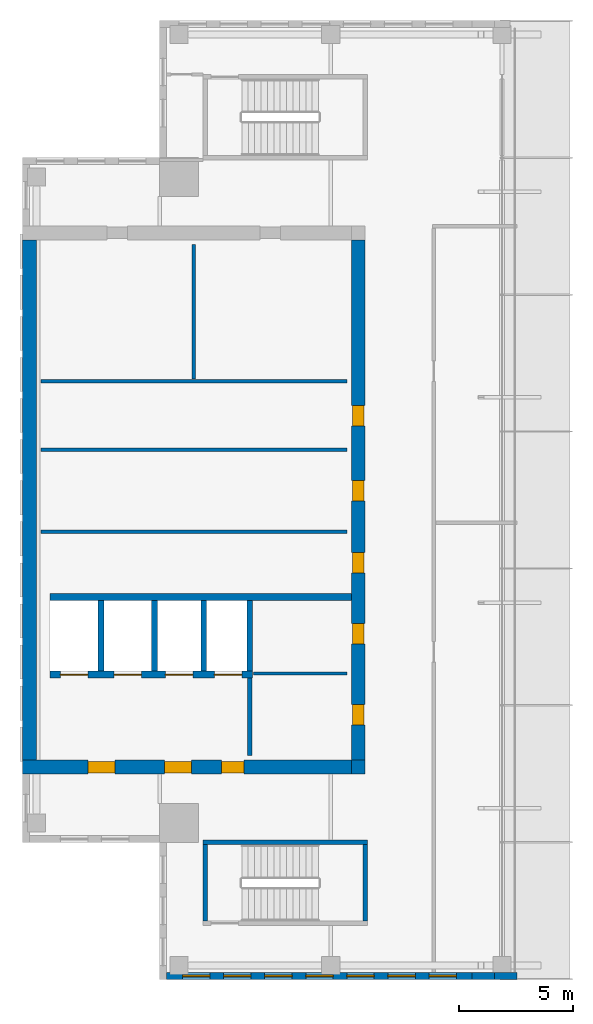
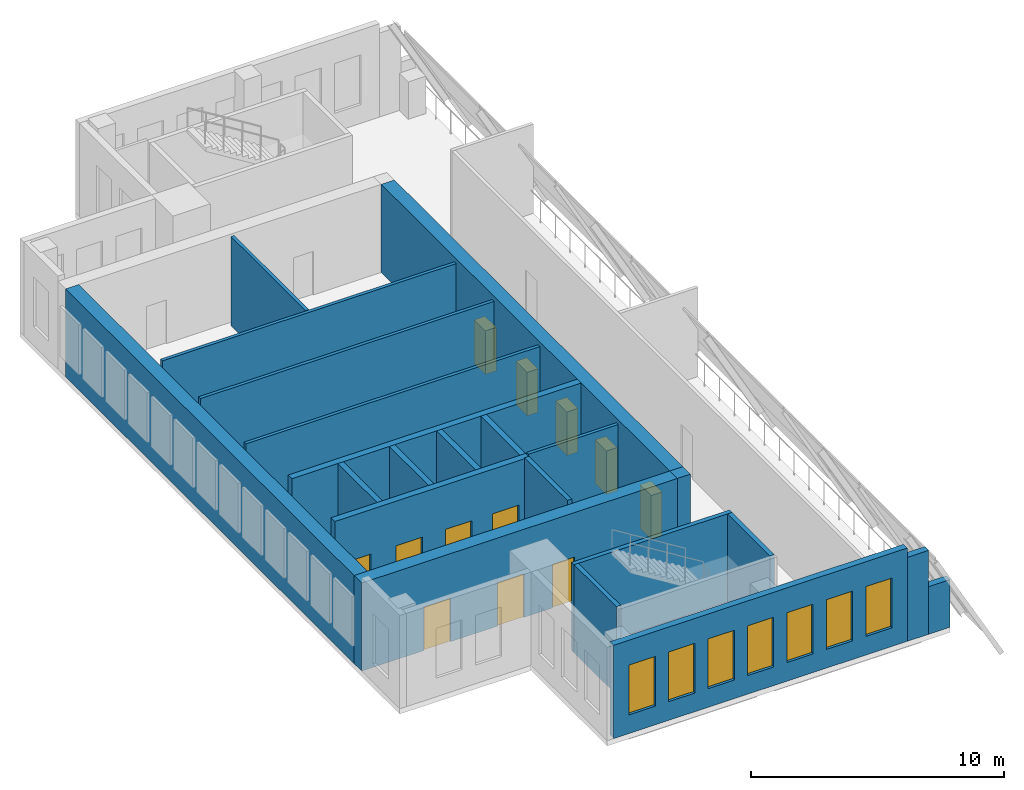
# One storey, part 2 of 5: 22 walls, 12 doors, 7 windows, 19 openings.
"""IFC4 building model written with IfcOpenShell, lengths in metres."""

import ifcopenshell
import ifcopenshell.guid

model = None  # the IFC model being written
_history = None  # IfcOwnerHistory: only IFC2X3 demands one
_inside = {}  # id of a spatial element -> (the spatial element, [elements in it])
_under = {}  # id of a project, library or spatial element -> (it, [spatial elements below it])
_declared = {}  # id of a project -> (the project, [libraries it declares])
_typed = {}  # id of a type object -> (the type object, [elements of that type])
_made_of = {}  # id of a material, layer set ... -> (it, [elements and type objects made of it])


def new_model(schema):
    """Start an empty IFC model of exactly this schema.

    Asked for "IFC4X3", IfcOpenShell would pick the latest addendum, in which some entities
    have other attributes; the version numbers below select the first issue.
    IFC2X3 requires an IfcOwnerHistory on every rooted entity: one is made here for all.
    """
    global model, _history
    if schema == "IFC4X3":
        model = ifcopenshell.file(schema_version=(4, 3, 0, 0))
    else:
        model = ifcopenshell.file(schema=schema)
    _inside.clear()
    _under.clear()
    _declared.clear()
    _typed.clear()
    _made_of.clear()
    _history = None
    if model.schema == "IFC2X3":
        org = make("IfcOrganization", Name="unknown")
        user = make(
            "IfcPersonAndOrganization",
            ThePerson=make("IfcPerson", FamilyName="unknown"),
            TheOrganization=org,
        )
        app = make(
            "IfcApplication",
            ApplicationDeveloper=org,
            Version="unknown",
            ApplicationFullName="unknown",
            ApplicationIdentifier="unknown",
        )
        _history = make(
            "IfcOwnerHistory",
            OwningUser=user,
            OwningApplication=app,
            ChangeAction="ADDED",
            CreationDate=0,
        )
    return model


def make(cls, **values):
    """One entity of the class cls with the attributes given. An attribute that is None is left unset."""
    return model.create_entity(
        cls, **{name: value for name, value in values.items() if value is not None}
    )


def rooted(cls, **values):
    """An entity with a GlobalId (a new one), such as an element, a storey or a relation."""
    return make(cls, GlobalId=ifcopenshell.guid.new(), OwnerHistory=_history, **values)


def si_unit(unit_type, name, prefix=None):
    """IfcSIUnit, for example si_unit("LENGTHUNIT", "METRE", prefix="MILLI")."""
    return make("IfcSIUnit", UnitType=unit_type, Prefix=prefix, Name=name)


def assignment(units):
    """IfcUnitAssignment: the units of a project."""
    return None if units is None else make("IfcUnitAssignment", Units=units)


def point(xyz):
    """IfcCartesianPoint."""
    return None if xyz is None else make("IfcCartesianPoint", Coordinates=xyz)


def direction(xyz):
    """IfcDirection."""
    return None if xyz is None else make("IfcDirection", DirectionRatios=xyz)


def frame(location, z_axis=None, x_axis=None):
    """IfcAxis2Placement3D, a coordinate frame: its origin and axes. An axis left out is left unset."""
    return make(
        "IfcAxis2Placement3D",
        Location=point(location),
        Axis=direction(z_axis),
        RefDirection=direction(x_axis),
    )


def frame_2d(location, x_axis=None):
    """IfcAxis2Placement2D, a coordinate frame in the plane: its origin and x axis."""
    return make(
        "IfcAxis2Placement2D", Location=point(location), RefDirection=direction(x_axis)
    )


def origin():
    """The frame at (0, 0, 0) with its axes left unset."""
    return frame((0.0, 0.0, 0.0))


def place(relative_to, where):
    """IfcLocalPlacement: puts the frame where relative to a parent placement (None: the world)."""
    return make(
        "IfcLocalPlacement", PlacementRelTo=relative_to, RelativePlacement=where
    )


def context(
    kind, dimensions, precision=None, world=None, true_north=None, identifier=None
):
    """IfcGeometricRepresentationContext, for example the 3D "Model" context."""
    return make(
        "IfcGeometricRepresentationContext",
        ContextIdentifier=identifier,
        ContextType=kind,
        CoordinateSpaceDimension=dimensions,
        Precision=precision,
        WorldCoordinateSystem=world,
        TrueNorth=true_north,
    )


def subcontext(parent, identifier, kind, view, scale=None):
    """IfcGeometricRepresentationSubContext, for example "Body" below "Model"."""
    return make(
        "IfcGeometricRepresentationSubContext",
        ContextIdentifier=identifier,
        ContextType=kind,
        ParentContext=parent,
        TargetScale=scale,
        TargetView=view,
    )


def project(units=None, contexts=None):
    """IfcProject with its units and contexts."""
    return rooted(
        "IfcProject",
        Name="project",
        RepresentationContexts=contexts,
        UnitsInContext=assignment(units),
    )


def spatial(cls, under=None, at=None, **own):
    """A site, building, storey or space (cls), placed at a placement, below another one or the project."""
    s = rooted(cls, ObjectPlacement=at, **own)
    if under is not None:
        _under.setdefault(under.id(), (under, []))[1].append(s)
    return s


def profile(cls, at=None, kind="AREA", **sizes):
    """A parametric profile (cls). Its sizes go by their IFC names, for example OverallWidth=200.0."""
    return make(cls, ProfileType=kind, Position=at, **sizes)


def rectangle(**sizes):
    """IfcRectangleProfileDef."""
    return profile("IfcRectangleProfileDef", **sizes)


def extrude(swept, where, along, depth):
    """IfcExtrudedAreaSolid: the profile swept, set in the frame where, extruded along a direction by depth."""
    return make(
        "IfcExtrudedAreaSolid",
        SweptArea=swept,
        Position=where,
        ExtrudedDirection=direction(along),
        Depth=depth,
    )


def shape(context_of_items, identifier, shape_type, items):
    """IfcShapeRepresentation: the items that make up one representation, for example the "Body"."""
    return make(
        "IfcShapeRepresentation",
        ContextOfItems=context_of_items,
        RepresentationIdentifier=identifier,
        RepresentationType=shape_type,
        Items=items,
    )


def source(mapping_origin, context_of_items, identifier, shape_type, items):
    """IfcRepresentationMap: a shape defined once, which mapped items show again and again."""
    return make(
        "IfcRepresentationMap",
        MappingOrigin=mapping_origin,
        MappedRepresentation=shape(context_of_items, identifier, shape_type, items),
    )


def transform(
    local_origin,
    x_axis=None,
    y_axis=None,
    z_axis=None,
    scale=None,
    scale2=None,
    scale3=None,
    uniform=True,
):
    """IfcCartesianTransformationOperator3D, or its non-uniform kind. x_axis, y_axis, z_axis: its Axis1, 2, 3."""
    if uniform:
        return make(
            "IfcCartesianTransformationOperator3D",
            Axis1=direction(x_axis),
            Axis2=direction(y_axis),
            LocalOrigin=point(local_origin),
            Scale=scale,
            Axis3=direction(z_axis),
        )
    return make(
        "IfcCartesianTransformationOperator3DnonUniform",
        Axis1=direction(x_axis),
        Axis2=direction(y_axis),
        LocalOrigin=point(local_origin),
        Scale=scale,
        Axis3=direction(z_axis),
        Scale2=scale2,
        Scale3=scale3,
    )


def mapped(mapping_source, mapping_target):
    """IfcMappedItem: shows the shape of a source again, moved by a transform."""
    return make(
        "IfcMappedItem", MappingSource=mapping_source, MappingTarget=mapping_target
    )


def material(Name=None, Category=None):
    """IfcMaterial."""
    return make("IfcMaterial", Name=Name, Category=Category)


def layer(
    of_material, thickness, ventilated=None, Name=None, Category=None, Priority=None
):
    """IfcMaterialLayer: one layer of a wall or slab, of a material (None: an air gap)."""
    return make(
        "IfcMaterialLayer",
        Material=of_material,
        LayerThickness=thickness,
        IsVentilated=ventilated,
        Name=Name,
        Category=Category,
        Priority=Priority,
    )


def layer_set(layers, Name=None):
    """IfcMaterialLayerSet."""
    return make("IfcMaterialLayerSet", MaterialLayers=layers, LayerSetName=Name)


def made_of(thing, what):
    """Note that an element or type object is made of a material, layer set ...; save() writes the relation."""
    if what is not None:
        _made_of.setdefault(what.id(), (what, []))[1].append(thing)
    return thing


def type_object(cls, material=None, **own):
    """A type object (cls), such as IfcWallType, which elements share."""
    return made_of(rooted(cls, **own), material)


def element(
    cls,
    number,
    at=None,
    inside=None,
    cuts=None,
    type_object=None,
    material=None,
    context=None,
    identifier="Body",
    shape_type=None,
    held_by="IfcProductDefinitionShape",
    body=None,
    shapes=None,
    **own,
):
    """One element of the class cls, such as IfcWall. Its Tag is "e" and its number.

    at: its placement. inside: the storey or other place that contains it. cuts: it is an
    opening in that element (IfcRelVoidsElement). A single representation is given by context,
    identifier, shape_type and body (its items); several are given by shapes. held_by: the class
    of the entity that holds the representations. save() writes the other relations.
    """
    e = rooted(cls, Tag="e%d" % number, ObjectPlacement=at, **own)
    if body is not None:
        shapes = [shape(context, identifier, shape_type, body)]
    if shapes is not None:
        e.Representation = make(held_by, Representations=shapes)
    if inside is not None:
        _inside.setdefault(inside.id(), (inside, []))[1].append(e)
    if cuts is not None:
        rooted(
            "IfcRelVoidsElement", RelatingBuildingElement=cuts, RelatedOpeningElement=e
        )
    if type_object is not None:
        _typed.setdefault(type_object.id(), (type_object, []))[1].append(e)
    return made_of(e, material)


def fill(opening, filler):
    """IfcRelFillsElement: the door or window that sits in an opening."""
    return rooted(
        "IfcRelFillsElement",
        RelatingOpeningElement=opening,
        RelatedBuildingElement=filler,
    )


def aggregate(whole, parts):
    """IfcRelAggregates: a whole, such as a stair, and the parts it consists of."""
    return rooted("IfcRelAggregates", RelatingObject=whole, RelatedObjects=parts)


def save(model, path):
    """Write the relations noted so far, then the file.

    IfcRelAggregates (storeys below a building ...), IfcRelContainedInSpatialStructure (elements
    in a storey), IfcRelDefinesByType, IfcRelAssociatesMaterial and IfcRelDeclares: one each for
    every whole, place, type object, material and project.
    """
    for whole, parts in _under.values():
        aggregate(whole, parts)
    for where, things in _inside.values():
        rooted(
            "IfcRelContainedInSpatialStructure",
            RelatedElements=things,
            RelatingStructure=where,
        )
    for kind, things in _typed.values():
        rooted("IfcRelDefinesByType", RelatedObjects=things, RelatingType=kind)
    for what, things in _made_of.values():
        rooted("IfcRelAssociatesMaterial", RelatedObjects=things, RelatingMaterial=what)
    for by, libraries in _declared.values():
        rooted("IfcRelDeclares", RelatingContext=by, RelatedDefinitions=libraries)
    model.write(path)


model = new_model("IFC4")

# Units and contexts
model_context = context("Model", 3, precision=1e-05, world=origin(), true_north=direction((0.0, 1.0)))
body_context = subcontext(model_context, "Body", "Model", "MODEL_VIEW")
ifc_project = project(units=[si_unit("LENGTHUNIT", "METRE"), si_unit("AREAUNIT", "SQUARE_METRE"), si_unit("VOLUMEUNIT", "CUBIC_METRE"), si_unit("PLANEANGLEUNIT", "RADIAN"), si_unit("MASSUNIT", "GRAM", prefix="KILO")], contexts=[model_context])

# Site, building, storey
site_placement = place(None, origin())
site = spatial("IfcSite", under=ifc_project, at=site_placement, CompositionType="ELEMENT")
building_placement = place(site_placement, origin())
building = spatial("IfcBuilding", under=site, at=building_placement, Name="Khomas Fold Tower", CompositionType="ELEMENT")
storey_placement = place(building_placement, frame((0.0, 0.0, 348.199951171875)))
storey = spatial("IfcBuildingStorey", under=building, at=storey_placement, Name="C5", CompositionType="ELEMENT", Elevation=348.199951171875)

# Wall, openings, doors
ifc_material_1 = material(Name="Concrete C50/60", Category="concrete")
ifc_layer_1 = layer(ifc_material_1, 0.60009765625)
ifc_layer_set_1 = layer_set([ifc_layer_1], Name="Concrete C50/60")
wall_type_1 = type_object("IfcWallType", Name="Core wall 600", PredefinedType="SHEAR", material=ifc_layer_set_1)
shared_shape_1 = source(origin(), body_context, "Body", "SweptSolid", [
    extrude(rectangle(XDim=14.39990234375, YDim=0.60009765625, at=frame_2d((7.199951171875, 0.0))), origin(), (0.0, 0.0, 1.0), 4.25),
])
wall_1_placement = place(storey_placement, frame((6.0, 15.300048828125, 0.0), z_axis=(0.0, 0.0, 1.0), x_axis=(1.0, 0.0, 0.0)))
wall_1 = element("IfcWall", 1, at=wall_1_placement, inside=storey, type_object=wall_type_1, Name="Core wall CW-U-S-L63", PredefinedType="SHEAR", context=body_context, shape_type="MappedRepresentation", body=[
    mapped(shared_shape_1, transform((0.0, 0.0, 0.0))),
])
shared_shape_2 = source(origin(), body_context, "Body", "SweptSolid", [
    extrude(rectangle(XDim=1.199951171875, YDim=2.10009765625, at=frame_2d((0.60009765625, 1.050048828125))), frame((0.0, 0.31005859375, 0.0), z_axis=(0.0, -1.0, 0.0), x_axis=(1.0, 0.0, 0.0)), (0.0, 0.0, 1.0), 0.6201171875),
])
opening_1_placement = place(wall_1_placement, frame((6.199951171875, 0.0, 0.0)))
opening_1 = element("IfcOpeningElement", 2, at=opening_1_placement, cuts=wall_1, Name="Opening 0009", PredefinedType="OPENING", context=body_context, shape_type="MappedRepresentation", body=[
    mapped(shared_shape_2, transform((0.0, 0.0, 0.0))),
])
opening_2_placement = place(wall_1_placement, frame((2.85009765625, 0.0, 0.0)))
opening_2 = element("IfcOpeningElement", 3, at=opening_2_placement, cuts=wall_1, Name="Opening 0009", PredefinedType="OPENING", context=body_context, shape_type="MappedRepresentation", body=[
    mapped(shared_shape_2, transform((0.0, 0.0, 0.0))),
])
shared_shape_3 = source(origin(), body_context, "Body", "SweptSolid", [
    extrude(rectangle(XDim=1.0, YDim=2.10009765625, at=frame_2d((0.5, 1.050048828125))), frame((0.0, 0.31005859375, 0.0), z_axis=(0.0, -1.0, 0.0), x_axis=(1.0, 0.0, 0.0)), (0.0, 0.0, 1.0), 0.6201171875),
])
opening_3_placement = place(wall_1_placement, frame((8.699951171875, 0.0, 0.0)))
opening_3 = element("IfcOpeningElement", 4, at=opening_3_placement, cuts=wall_1, Name="Opening 0010", PredefinedType="OPENING", context=body_context, shape_type="MappedRepresentation", body=[
    mapped(shared_shape_3, transform((0.0, 0.0, 0.0))),
])
ifc_material_2 = material(Name="Steel door leaf", Category="steel")
door_type_1 = type_object("IfcDoorType", Name="Stair door 1000x2100 right-hand", OperationType="SINGLE_SWING_RIGHT", PredefinedType="DOOR", material=ifc_material_2)
shared_shape_4 = source(origin(), body_context, "Body", "SweptSolid", [
    extrude(rectangle(XDim=1.0, YDim=2.10009765625, at=frame_2d((0.5, 1.050048828125))), frame((0.0, 0.25, 0.0), z_axis=(0.0, -1.0, 0.0), x_axis=(1.0, 0.0, 0.0)), (0.0, 0.0, 1.0), 0.5),
])
door_1_placement = place(opening_3_placement, origin())
door_1 = element("IfcDoor", 5, at=door_1_placement, inside=storey, type_object=door_type_1, Name="Stair door", OperationType="SINGLE_SWING_RIGHT", OverallHeight=2.10009765625, OverallWidth=1.0, PredefinedType="DOOR", context=body_context, shape_type="MappedRepresentation", body=[
    mapped(shared_shape_4, transform((0.0, 0.0, 0.0))),
])
fill(opening_3, door_1)
ifc_material_3 = material(Name="Steel door leaf", Category="steel")
door_type_2 = type_object("IfcDoorType", Name="Lobby door 1200x2100 right-hand", OperationType="SINGLE_SWING_RIGHT", PredefinedType="DOOR", material=ifc_material_3)
shared_shape_5 = source(origin(), body_context, "Body", "SweptSolid", [
    extrude(rectangle(XDim=1.199951171875, YDim=2.10009765625, at=frame_2d((0.60009765625, 1.050048828125))), frame((0.0, 0.25, 0.0), z_axis=(0.0, -1.0, 0.0), x_axis=(1.0, 0.0, 0.0)), (0.0, 0.0, 1.0), 0.5),
])
door_2_placement = place(opening_1_placement, origin())
door_2 = element("IfcDoor", 6, at=door_2_placement, inside=storey, type_object=door_type_2, Name="Lobby door", OperationType="SINGLE_SWING_RIGHT", OverallHeight=2.10009765625, OverallWidth=1.199951171875, PredefinedType="DOOR", context=body_context, shape_type="MappedRepresentation", body=[
    mapped(shared_shape_5, transform((0.0, 0.0, 0.0))),
])
fill(opening_1, door_2)
door_3_placement = place(opening_2_placement, origin())
door_3 = element("IfcDoor", 7, at=door_3_placement, inside=storey, type_object=door_type_2, Name="Lobby door", OperationType="SINGLE_SWING_RIGHT", OverallHeight=2.10009765625, OverallWidth=1.199951171875, PredefinedType="DOOR", context=body_context, shape_type="MappedRepresentation", body=[
    mapped(shared_shape_5, transform((0.0, 0.0, 0.0))),
])
fill(opening_2, door_3)

# Wall
ifc_material_4 = material(Name="Concrete C50/60", Category="concrete")
ifc_layer_2 = layer(ifc_material_4, 0.60009765625)
ifc_layer_set_2 = layer_set([ifc_layer_2], Name="Concrete C50/60")
wall_type_2 = type_object("IfcWallType", Name="Core corner wall 600", PredefinedType="SHEAR", material=ifc_layer_set_2)
shared_shape_6 = source(origin(), body_context, "Body", "SweptSolid", [
    extrude(rectangle(XDim=0.60009765625, YDim=0.60009765625, at=frame_2d((0.300048828125, 0.0))), origin(), (0.0, 0.0, 1.0), 4.25),
])
wall_2_placement = place(storey_placement, frame((20.39990234375, 15.300048828125, 0.0), z_axis=(0.0, 0.0, 1.0), x_axis=(1.0, 0.0, 0.0)))
element("IfcWall", 8, at=wall_2_placement, inside=storey, type_object=wall_type_2, Name="Core wall CW-U-SE-L63", PredefinedType="SHEAR", context=body_context, shape_type="MappedRepresentation", body=[
    mapped(shared_shape_6, transform((0.0, 0.0, 0.0))),
])

# Wall, openings, doors
shared_shape_7 = source(origin(), body_context, "Body", "SweptSolid", [
    extrude(rectangle(XDim=22.7998046875, YDim=0.60009765625, at=frame_2d((11.39990234375, 0.0))), origin(), (0.0, 0.0, 1.0), 4.25),
])
wall_3_placement = place(storey_placement, frame((20.699951171875, 15.60009765625, 0.0), z_axis=(0.0, 0.0, 1.0), x_axis=(0.0, 1.0, 0.0)))
wall_3 = element("IfcWall", 9, at=wall_3_placement, inside=storey, type_object=wall_type_1, Name="Core wall CW-U-E-L63", PredefinedType="SHEAR", context=body_context, shape_type="MappedRepresentation", body=[
    mapped(shared_shape_7, transform((0.0, 0.0, 0.0))),
])
shared_shape_8 = source(origin(), body_context, "Body", "SweptSolid", [
    extrude(rectangle(XDim=0.89990234375, YDim=2.10009765625, at=frame_2d((0.449951171875, 1.050048828125))), frame((0.0, 0.31005859375, 0.0), z_axis=(0.0, -1.0, 0.0), x_axis=(1.0, 0.0, 0.0)), (0.0, 0.0, 1.0), 0.6201171875),
])
opening_4_placement = place(wall_3_placement, frame((8.199951171875, 0.0, 0.0)))
opening_4 = element("IfcOpeningElement", 10, at=opening_4_placement, cuts=wall_3, Name="Opening 0003", PredefinedType="OPENING", context=body_context, shape_type="MappedRepresentation", body=[
    mapped(shared_shape_8, transform((0.0, 0.0, 0.0))),
])
opening_5_placement = place(wall_3_placement, frame((11.35009765625, 0.0, 0.0)))
opening_5 = element("IfcOpeningElement", 11, at=opening_5_placement, cuts=wall_3, Name="Opening 0003", PredefinedType="OPENING", context=body_context, shape_type="MappedRepresentation", body=[
    mapped(shared_shape_8, transform((0.0, 0.0, 0.0))),
])
opening_6_placement = place(wall_3_placement, frame((14.64990234375, 0.0, 0.0)))
opening_6 = element("IfcOpeningElement", 12, at=opening_6_placement, cuts=wall_3, Name="Opening 0003", PredefinedType="OPENING", context=body_context, shape_type="MappedRepresentation", body=[
    mapped(shared_shape_8, transform((0.0, 0.0, 0.0))),
])
opening_7_placement = place(wall_3_placement, frame((1.550048828125, 0.0, 0.0)))
opening_7 = element("IfcOpeningElement", 13, at=opening_7_placement, cuts=wall_3, Name="Opening 0004", PredefinedType="OPENING", context=body_context, shape_type="MappedRepresentation", body=[
    mapped(shared_shape_8, transform((0.0, 0.0, 0.0))),
])
opening_8_placement = place(wall_3_placement, frame((5.10009765625, 0.0, 0.0)))
opening_8 = element("IfcOpeningElement", 14, at=opening_8_placement, cuts=wall_3, Name="Opening 0003", PredefinedType="OPENING", context=body_context, shape_type="MappedRepresentation", body=[
    mapped(shared_shape_8, transform((0.0, 0.0, 0.0))),
])
ifc_material_5 = material(Name="Steel door leaf", Category="steel")
door_type_3 = type_object("IfcDoorType", Name="Plant room door 900x2100 right-hand", OperationType="SINGLE_SWING_RIGHT", PredefinedType="DOOR", material=ifc_material_5)
shared_shape_9 = source(origin(), body_context, "Body", "SweptSolid", [
    extrude(rectangle(XDim=0.89990234375, YDim=2.10009765625, at=frame_2d((0.449951171875, 1.050048828125))), frame((0.0, 0.25, 0.0), z_axis=(0.0, -1.0, 0.0), x_axis=(1.0, 0.0, 0.0)), (0.0, 0.0, 1.0), 0.5),
])
door_4_placement = place(opening_4_placement, origin())
door_4 = element("IfcDoor", 15, at=door_4_placement, inside=storey, type_object=door_type_3, Name="Plant room door", OperationType="SINGLE_SWING_RIGHT", OverallHeight=2.10009765625, OverallWidth=0.89990234375, PredefinedType="DOOR", context=body_context, shape_type="MappedRepresentation", body=[
    mapped(shared_shape_9, transform((0.0, 0.0, 0.0))),
])
fill(opening_4, door_4)
door_5_placement = place(opening_5_placement, origin())
door_5 = element("IfcDoor", 16, at=door_5_placement, inside=storey, type_object=door_type_3, Name="Plant room door", OperationType="SINGLE_SWING_RIGHT", OverallHeight=2.10009765625, OverallWidth=0.89990234375, PredefinedType="DOOR", context=body_context, shape_type="MappedRepresentation", body=[
    mapped(shared_shape_9, transform((0.0, 0.0, 0.0))),
])
fill(opening_5, door_5)
door_6_placement = place(opening_6_placement, origin())
door_6 = element("IfcDoor", 17, at=door_6_placement, inside=storey, type_object=door_type_3, Name="Plant room door", OperationType="SINGLE_SWING_RIGHT", OverallHeight=2.10009765625, OverallWidth=0.89990234375, PredefinedType="DOOR", context=body_context, shape_type="MappedRepresentation", body=[
    mapped(shared_shape_9, transform((0.0, 0.0, 0.0))),
])
fill(opening_6, door_6)
ifc_material_6 = material(Name="Timber door leaf", Category="wood")
door_type_4 = type_object("IfcDoorType", Name="WC door 900x2100 right-hand", OperationType="SINGLE_SWING_RIGHT", PredefinedType="DOOR", material=ifc_material_6)
door_7_placement = place(opening_7_placement, origin())
door_7 = element("IfcDoor", 18, at=door_7_placement, inside=storey, type_object=door_type_4, Name="WC door", OperationType="SINGLE_SWING_RIGHT", OverallHeight=2.10009765625, OverallWidth=0.89990234375, PredefinedType="DOOR", context=body_context, shape_type="MappedRepresentation", body=[
    mapped(shared_shape_9, transform((0.0, 0.0, 0.0))),
])
fill(opening_7, door_7)
door_8_placement = place(opening_8_placement, origin())
door_8 = element("IfcDoor", 19, at=door_8_placement, inside=storey, type_object=door_type_3, Name="Plant room door", OperationType="SINGLE_SWING_RIGHT", OverallHeight=2.10009765625, OverallWidth=0.89990234375, PredefinedType="DOOR", context=body_context, shape_type="MappedRepresentation", body=[
    mapped(shared_shape_9, transform((0.0, 0.0, 0.0))),
])
fill(opening_8, door_8)

# Walls
wall_4_placement = place(storey_placement, frame((6.300048828125, 15.60009765625, 0.0), z_axis=(0.0, 0.0, 1.0), x_axis=(0.0, 1.0, 0.0)))
element("IfcWall", 20, at=wall_4_placement, inside=storey, type_object=wall_type_1, Name="Core wall CW-U-W-L63", PredefinedType="SHEAR", context=body_context, shape_type="MappedRepresentation", body=[
    mapped(shared_shape_7, transform((0.0, 0.0, 0.0))),
])
ifc_material_7 = material(Name="Concrete C50/60", Category="concrete")
ifc_layer_3 = layer(ifc_material_7, 0.199951171875)
ifc_layer_set_3 = layer_set([ifc_layer_3], Name="Concrete C50/60")
wall_type_3 = type_object("IfcWallType", Name="Stair wall 200", PredefinedType="SHEAR", material=ifc_layer_set_3)
shared_shape_10 = source(origin(), body_context, "Body", "SweptSolid", [
    extrude(rectangle(XDim=7.2001953125, YDim=0.199951171875, at=frame_2d((3.60009765625, 0.0))), origin(), (0.0, 0.0, 1.0), 4.25),
])
wall_5_placement = place(storey_placement, frame((13.89990234375, 12.0, 0.0), z_axis=(0.0, 0.0, 1.0), x_axis=(1.0, 0.0, 0.0)))
element("IfcWall", 21, at=wall_5_placement, inside=storey, type_object=wall_type_3, Name="Stair wall SW-ST2-NH", PredefinedType="SHEAR", context=body_context, shape_type="MappedRepresentation", body=[
    mapped(shared_shape_10, transform((0.0, 0.0, 0.0))),
])
shared_shape_11 = source(origin(), body_context, "Body", "SweptSolid", [
    extrude(rectangle(XDim=3.349853515625, YDim=0.199951171875, at=frame_2d((1.6748046875, 0.0))), origin(), (0.0, 0.0, 1.0), 4.25),
])
for number, where, z_axis, x_axis, name in (
    (22, (21.0, 8.550048828125, 0.0), (0.0, 0.0, 1.0), (0.0, 1.0, 0.0), "Stair wall SW-ST2-E"),
    (23, (14.0, 8.550048828125, 0.0), (0.0, 0.0, 1.0), (0.0, 1.0, 0.0), "Stair wall SW-ST2-W"),
):
    element("IfcWall", number, at=place(storey_placement, frame(where, z_axis=z_axis, x_axis=x_axis)), inside=storey, type_object=wall_type_3, Name=name, PredefinedType="SHEAR", context=body_context, shape_type="MappedRepresentation", body=[
        mapped(shared_shape_11, transform((0.0, 0.0, 0.0))),
    ])
ifc_material_8 = material(Name="Concrete C50/60", Category="concrete")
ifc_layer_4 = layer(ifc_material_8, 0.300048828125)
ifc_layer_set_4 = layer_set([ifc_layer_4], Name="Concrete C50/60")
wall_type_4 = type_object("IfcWallType", Name="Shaft wall 300", PredefinedType="STANDARD", material=ifc_layer_set_4)
shared_shape_12 = source(origin(), body_context, "Body", "SweptSolid", [
    extrude(rectangle(XDim=13.199951171875, YDim=0.300048828125, at=frame_2d((6.60009765625, 0.0))), origin(), (0.0, 0.0, 1.0), 4.25),
])
wall_6_placement = place(storey_placement, frame((7.199951171875, 22.75, 0.0), z_axis=(0.0, 0.0, 1.0), x_axis=(1.0, 0.0, 0.0)))
element("IfcWall", 24, at=wall_6_placement, inside=storey, type_object=wall_type_4, Name="Core wall SW-FS-B", PredefinedType="STANDARD", context=body_context, shape_type="MappedRepresentation", body=[
    mapped(shared_shape_12, transform((0.0, 0.0, 0.0))),
])

# Wall, openings, doors
shared_shape_13 = source(origin(), body_context, "Body", "SweptSolid", [
    extrude(rectangle(XDim=8.875, YDim=0.300048828125, at=frame_2d((4.4375, 0.0))), origin(), (0.0, 0.0, 1.0), 4.25),
])
wall_7_placement = place(storey_placement, frame((7.199951171875, 19.35009765625, 0.0), z_axis=(0.0, 0.0, 1.0), x_axis=(1.0, 0.0, 0.0)))
wall_7 = element("IfcWall", 25, at=wall_7_placement, inside=storey, type_object=wall_type_4, Name="Core wall SW-FS-F", PredefinedType="STANDARD", context=body_context, shape_type="MappedRepresentation", body=[
    mapped(shared_shape_13, transform((0.0, 0.0, 0.0))),
])
shared_shape_14 = source(origin(), body_context, "Body", "SweptSolid", [
    extrude(rectangle(XDim=1.199951171875, YDim=2.10009765625, at=frame_2d((0.60009765625, 1.050048828125))), frame((0.0, 0.159912109375, 0.0), z_axis=(0.0, -1.0, 0.0), x_axis=(1.0, 0.0, 0.0)), (0.0, 0.0, 1.0), 0.320068359375),
])
opening_9_placement = place(wall_7_placement, frame((0.449951171875, 0.0, 0.0)))
opening_9 = element("IfcOpeningElement", 26, at=opening_9_placement, cuts=wall_7, Name="Opening LD-SV1", PredefinedType="OPENING", context=body_context, shape_type="MappedRepresentation", body=[
    mapped(shared_shape_14, transform((0.0, 0.0, 0.0))),
])
opening_10_placement = place(wall_7_placement, frame((2.800048828125, 0.0, 0.0)))
opening_10 = element("IfcOpeningElement", 27, at=opening_10_placement, cuts=wall_7, Name="Opening LD-SV2", PredefinedType="OPENING", context=body_context, shape_type="MappedRepresentation", body=[
    mapped(shared_shape_14, transform((0.0, 0.0, 0.0))),
])
opening_11_placement = place(wall_7_placement, frame((5.050048828125, 0.0, 0.0)))
opening_11 = element("IfcOpeningElement", 28, at=opening_11_placement, cuts=wall_7, Name="Opening LD-FF1", PredefinedType="OPENING", context=body_context, shape_type="MappedRepresentation", body=[
    mapped(shared_shape_14, transform((0.0, 0.0, 0.0))),
])
opening_12_placement = place(wall_7_placement, frame((7.199951171875, 0.0, 0.0)))
opening_12 = element("IfcOpeningElement", 29, at=opening_12_placement, cuts=wall_7, Name="Opening LD-FF2", PredefinedType="OPENING", context=body_context, shape_type="MappedRepresentation", body=[
    mapped(shared_shape_14, transform((0.0, 0.0, 0.0))),
])
ifc_material_9 = material(Name="Steel door leaf", Category="steel")
door_type_5 = type_object("IfcDoorType", Name="Landing door 1200x2100", OperationType="DOUBLE_DOOR_SLIDING", PredefinedType="DOOR", material=ifc_material_9)
shared_shape_15 = source(origin(), body_context, "Body", "SweptSolid", [
    extrude(rectangle(XDim=1.199951171875, YDim=2.10009765625, at=frame_2d((0.60009765625, 1.050048828125))), frame((0.0, 0.02490234375, 0.0), z_axis=(0.0, -1.0, 0.0), x_axis=(1.0, 0.0, 0.0)), (0.0, 0.0, 1.0), 0.050048828125),
])
door_9_placement = place(opening_9_placement, origin())
door_9 = element("IfcDoor", 30, at=door_9_placement, inside=storey, type_object=door_type_5, Name="Lift landing door", OperationType="DOUBLE_DOOR_SLIDING", OverallHeight=2.10009765625, OverallWidth=1.199951171875, PredefinedType="DOOR", context=body_context, shape_type="MappedRepresentation", body=[
    mapped(shared_shape_15, transform((0.0, 0.0, 0.0))),
])
fill(opening_9, door_9)
door_10_placement = place(opening_10_placement, origin())
door_10 = element("IfcDoor", 31, at=door_10_placement, inside=storey, type_object=door_type_5, Name="Lift landing door", OperationType="DOUBLE_DOOR_SLIDING", OverallHeight=2.10009765625, OverallWidth=1.199951171875, PredefinedType="DOOR", context=body_context, shape_type="MappedRepresentation", body=[
    mapped(shared_shape_15, transform((0.0, 0.0, 0.0))),
])
fill(opening_10, door_10)
door_11_placement = place(opening_11_placement, origin())
door_11 = element("IfcDoor", 32, at=door_11_placement, inside=storey, type_object=door_type_5, Name="Lift landing door", OperationType="DOUBLE_DOOR_SLIDING", OverallHeight=2.10009765625, OverallWidth=1.199951171875, PredefinedType="DOOR", context=body_context, shape_type="MappedRepresentation", body=[
    mapped(shared_shape_15, transform((0.0, 0.0, 0.0))),
])
fill(opening_11, door_11)
door_12_placement = place(opening_12_placement, origin())
door_12 = element("IfcDoor", 33, at=door_12_placement, inside=storey, type_object=door_type_5, Name="Lift landing door", OperationType="DOUBLE_DOOR_SLIDING", OverallHeight=2.10009765625, OverallWidth=1.199951171875, PredefinedType="DOOR", context=body_context, shape_type="MappedRepresentation", body=[
    mapped(shared_shape_15, transform((0.0, 0.0, 0.0))),
])
fill(opening_12, door_12)

# Walls
ifc_material_10 = material(Name="Concrete C50/60", Category="concrete")
ifc_layer_5 = layer(ifc_material_10, 0.25)
ifc_layer_set_5 = layer_set([ifc_layer_5], Name="Concrete C50/60")
wall_type_5 = type_object("IfcWallType", Name="Shaft wall 250", PredefinedType="STANDARD", material=ifc_layer_set_5)
shared_shape_16 = source(origin(), body_context, "Body", "SweptSolid", [
    extrude(rectangle(XDim=3.10009765625, YDim=0.25, at=frame_2d((1.550048828125, 0.0))), origin(), (0.0, 0.0, 1.0), 4.25),
])
for number, where, z_axis, x_axis, name in (
    (34, (9.425048828125, 19.5, 0.0), (0.0, 0.0, 1.0), (0.0, 1.0, 0.0), "Core wall SW-FS-P1"),
    (35, (11.77490234375, 19.5, 0.0), (0.0, 0.0, 1.0), (0.0, 1.0, 0.0), "Core wall SW-FS-P2"),
    (36, (13.925048828125, 19.5, 0.0), (0.0, 0.0, 1.0), (0.0, 1.0, 0.0), "Core wall SW-FS-P3"),
    (37, (15.949951171875, 19.5, 0.0), (0.0, 0.0, 1.0), (0.0, 1.0, 0.0), "Core wall SW-FS-PE"),
):
    element("IfcWall", number, at=place(storey_placement, frame(where, z_axis=z_axis, x_axis=x_axis)), inside=storey, type_object=wall_type_5, Name=name, PredefinedType="STANDARD", context=body_context, shape_type="MappedRepresentation", body=[
        mapped(shared_shape_16, transform((0.0, 0.0, 0.0))),
    ])

# Wall, openings, windows
ifc_material_11 = material(Name="Concrete C40/50", Category="concrete")
ifc_layer_6 = layer(ifc_material_11, 0.300048828125)
ifc_layer_set_6 = layer_set([ifc_layer_6], Name="Concrete C40/50")
wall_type_6 = type_object("IfcWallType", Name="Crown gable wall 300 CR-GW1", PredefinedType="SOLIDWALL", material=ifc_layer_set_6)
shared_shape_17 = source(origin(), body_context, "Body", "SweptSolid", [
    extrude(rectangle(XDim=13.3935546875, YDim=0.300048828125, at=frame_2d((6.69677734375, 0.0))), origin(), (0.0, 0.0, 1.0), 4.5),
])
wall_8_placement = place(storey_placement, frame((12.300048828125, 6.14990234375, 0.0), z_axis=(0.0, 0.0, 1.0), x_axis=(1.0, 0.0, 0.0)))
wall_8 = element("IfcWall", 38, at=wall_8_placement, inside=storey, type_object=wall_type_6, Name="Crown wall", PredefinedType="SOLIDWALL", context=body_context, shape_type="MappedRepresentation", body=[
    mapped(shared_shape_17, transform((0.0, 0.0, 0.0))),
])
shared_shape_18 = source(origin(), body_context, "Body", "SweptSolid", [
    extrude(rectangle(XDim=1.199951171875, YDim=2.39990234375, at=frame_2d((0.60009765625, 1.199951171875))), frame((0.0, 0.159912109375, 0.0), z_axis=(0.0, -1.0, 0.0), x_axis=(1.0, 0.0, 0.0)), (0.0, 0.0, 1.0), 0.320068359375),
])
opening_13_placement = place(wall_8_placement, frame((0.699951171875, 0.0, 0.89990234375)))
opening_13 = element("IfcOpeningElement", 39, at=opening_13_placement, cuts=wall_8, Name="Opening CR-LV", PredefinedType="OPENING", context=body_context, shape_type="MappedRepresentation", body=[
    mapped(shared_shape_18, transform((0.0, 0.0, 0.0))),
])
opening_14_placement = place(wall_8_placement, frame((2.5, 0.0, 0.89990234375)))
opening_14 = element("IfcOpeningElement", 40, at=opening_14_placement, cuts=wall_8, Name="Opening CR-LV", PredefinedType="OPENING", context=body_context, shape_type="MappedRepresentation", body=[
    mapped(shared_shape_18, transform((0.0, 0.0, 0.0))),
])
opening_15_placement = place(wall_8_placement, frame((4.300048828125, 0.0, 0.89990234375)))
opening_15 = element("IfcOpeningElement", 41, at=opening_15_placement, cuts=wall_8, Name="Opening CR-LV", PredefinedType="OPENING", context=body_context, shape_type="MappedRepresentation", body=[
    mapped(shared_shape_18, transform((0.0, 0.0, 0.0))),
])
opening_16_placement = place(wall_8_placement, frame((6.10009765625, 0.0, 0.89990234375)))
opening_16 = element("IfcOpeningElement", 42, at=opening_16_placement, cuts=wall_8, Name="Opening CR-LV", PredefinedType="OPENING", context=body_context, shape_type="MappedRepresentation", body=[
    mapped(shared_shape_18, transform((0.0, 0.0, 0.0))),
])
opening_17_placement = place(wall_8_placement, frame((7.89990234375, 0.0, 0.89990234375)))
opening_17 = element("IfcOpeningElement", 43, at=opening_17_placement, cuts=wall_8, Name="Opening CR-LV", PredefinedType="OPENING", context=body_context, shape_type="MappedRepresentation", body=[
    mapped(shared_shape_18, transform((0.0, 0.0, 0.0))),
])
opening_18_placement = place(wall_8_placement, frame((9.699951171875, 0.0, 0.89990234375)))
opening_18 = element("IfcOpeningElement", 44, at=opening_18_placement, cuts=wall_8, Name="Opening CR-LV", PredefinedType="OPENING", context=body_context, shape_type="MappedRepresentation", body=[
    mapped(shared_shape_18, transform((0.0, 0.0, 0.0))),
])
opening_19_placement = place(wall_8_placement, frame((11.5, 0.0, 0.89990234375)))
opening_19 = element("IfcOpeningElement", 45, at=opening_19_placement, cuts=wall_8, Name="Opening CR-LV", PredefinedType="OPENING", context=body_context, shape_type="MappedRepresentation", body=[
    mapped(shared_shape_18, transform((0.0, 0.0, 0.0))),
])
ifc_material_12 = material(Name="Aluminium louvre", Category="aluminium")
window_type = type_object("IfcWindowType", Name="Crown plant louvre 1200 x 2400", PartitioningType="SINGLE_PANEL", PredefinedType="WINDOW", material=ifc_material_12)
shared_shape_19 = source(origin(), body_context, "Body", "SweptSolid", [
    extrude(rectangle(XDim=1.199951171875, YDim=2.39990234375, at=frame_2d((0.60009765625, 1.199951171875))), frame((0.0, 0.030029296875, 0.0), z_axis=(0.0, -1.0, 0.0), x_axis=(1.0, 0.0, 0.0)), (0.0, 0.0, 1.0), 0.06005859375),
])
window_1_placement = place(opening_13_placement, origin())
window_1 = element("IfcWindow", 46, at=window_1_placement, inside=storey, type_object=window_type, Name="Crown plant louvre", OverallHeight=2.39990234375, OverallWidth=1.199951171875, PartitioningType="SINGLE_PANEL", PredefinedType="WINDOW", context=body_context, shape_type="MappedRepresentation", body=[
    mapped(shared_shape_19, transform((0.0, 0.0, 0.0))),
])
fill(opening_13, window_1)
window_2_placement = place(opening_14_placement, origin())
window_2 = element("IfcWindow", 47, at=window_2_placement, inside=storey, type_object=window_type, Name="Crown plant louvre", OverallHeight=2.39990234375, OverallWidth=1.199951171875, PartitioningType="SINGLE_PANEL", PredefinedType="WINDOW", context=body_context, shape_type="MappedRepresentation", body=[
    mapped(shared_shape_19, transform((0.0, 0.0, 0.0))),
])
fill(opening_14, window_2)
window_3_placement = place(opening_15_placement, origin())
window_3 = element("IfcWindow", 48, at=window_3_placement, inside=storey, type_object=window_type, Name="Crown plant louvre", OverallHeight=2.39990234375, OverallWidth=1.199951171875, PartitioningType="SINGLE_PANEL", PredefinedType="WINDOW", context=body_context, shape_type="MappedRepresentation", body=[
    mapped(shared_shape_19, transform((0.0, 0.0, 0.0))),
])
fill(opening_15, window_3)
window_4_placement = place(opening_16_placement, origin())
window_4 = element("IfcWindow", 49, at=window_4_placement, inside=storey, type_object=window_type, Name="Crown plant louvre", OverallHeight=2.39990234375, OverallWidth=1.199951171875, PartitioningType="SINGLE_PANEL", PredefinedType="WINDOW", context=body_context, shape_type="MappedRepresentation", body=[
    mapped(shared_shape_19, transform((0.0, 0.0, 0.0))),
])
fill(opening_16, window_4)
window_5_placement = place(opening_17_placement, origin())
window_5 = element("IfcWindow", 50, at=window_5_placement, inside=storey, type_object=window_type, Name="Crown plant louvre", OverallHeight=2.39990234375, OverallWidth=1.199951171875, PartitioningType="SINGLE_PANEL", PredefinedType="WINDOW", context=body_context, shape_type="MappedRepresentation", body=[
    mapped(shared_shape_19, transform((0.0, 0.0, 0.0))),
])
fill(opening_17, window_5)
window_6_placement = place(opening_18_placement, origin())
window_6 = element("IfcWindow", 51, at=window_6_placement, inside=storey, type_object=window_type, Name="Crown plant louvre", OverallHeight=2.39990234375, OverallWidth=1.199951171875, PartitioningType="SINGLE_PANEL", PredefinedType="WINDOW", context=body_context, shape_type="MappedRepresentation", body=[
    mapped(shared_shape_19, transform((0.0, 0.0, 0.0))),
])
fill(opening_18, window_6)
window_7_placement = place(opening_19_placement, origin())
window_7 = element("IfcWindow", 52, at=window_7_placement, inside=storey, type_object=window_type, Name="Crown plant louvre", OverallHeight=2.39990234375, OverallWidth=1.199951171875, PartitioningType="SINGLE_PANEL", PredefinedType="WINDOW", context=body_context, shape_type="MappedRepresentation", body=[
    mapped(shared_shape_19, transform((0.0, 0.0, 0.0))),
])
fill(opening_19, window_7)

# Walls
ifc_material_13 = material(Name="Concrete C40/50", Category="concrete")
ifc_layer_7 = layer(ifc_material_13, 0.300048828125)
ifc_layer_set_7 = layer_set([ifc_layer_7], Name="Concrete C40/50")
wall_type_7 = type_object("IfcWallType", Name="Crown gable wall 300 CR-GW2", PredefinedType="SOLIDWALL", material=ifc_layer_set_7)
shared_shape_20 = source(origin(), body_context, "Body", "SweptSolid", [
    extrude(rectangle(XDim=0.97802734375, YDim=0.300048828125, at=frame_2d((0.489013671875, 0.0))), origin(), (0.0, 0.0, 1.0), 4.050048828125),
])
wall_9_placement = place(storey_placement, frame((25.693603515625, 6.14990234375, 0.0), z_axis=(0.0, 0.0, 1.0), x_axis=(1.0, 0.0, 0.0)))
element("IfcWall", 53, at=wall_9_placement, inside=storey, type_object=wall_type_7, Name="Crown wall", PredefinedType="SOLIDWALL", context=body_context, shape_type="MappedRepresentation", body=[
    mapped(shared_shape_20, transform((0.0, 0.0, 0.0))),
])
ifc_material_14 = material(Name="Concrete C40/50", Category="concrete")
ifc_layer_8 = layer(ifc_material_14, 0.300048828125)
ifc_layer_set_8 = layer_set([ifc_layer_8], Name="Concrete C40/50")
wall_type_8 = type_object("IfcWallType", Name="Crown gable wall 300 CR-GW3", PredefinedType="SOLIDWALL", material=ifc_layer_set_8)
shared_shape_21 = source(origin(), body_context, "Body", "SweptSolid", [
    extrude(rectangle(XDim=0.97802734375, YDim=0.300048828125, at=frame_2d((0.489013671875, 0.0))), origin(), (0.0, 0.0, 1.0), 2.300048828125),
])
wall_10_placement = place(storey_placement, frame((26.671630859375, 6.14990234375, 0.0), z_axis=(0.0, 0.0, 1.0), x_axis=(1.0, 0.0, 0.0)))
element("IfcWall", 54, at=wall_10_placement, inside=storey, type_object=wall_type_8, Name="Crown wall", PredefinedType="SOLIDWALL", context=body_context, shape_type="MappedRepresentation", body=[
    mapped(shared_shape_21, transform((0.0, 0.0, 0.0))),
])
ifc_material_15 = material(Name="Concrete C30/37", Category="concrete")
ifc_layer_9 = layer(ifc_material_15, 0.199951171875)
ifc_layer_set_9 = layer_set([ifc_layer_9], Name="Concrete C30/37")
wall_type_9 = type_object("IfcWallType", Name="Lobby wall PW4 200", PredefinedType="PARTITIONING", material=ifc_layer_set_9)
shared_shape_22 = source(origin(), body_context, "Body", "SweptSolid", [
    extrude(rectangle(XDim=3.39990234375, YDim=0.199951171875, at=frame_2d((1.699951171875, 0.0))), origin(), (0.0, 0.0, 1.0), 4.300048828125),
])
wall_11_placement = place(storey_placement, frame((15.949951171875, 15.800048828125, 0.0), z_axis=(0.0, 0.0, 1.0), x_axis=(0.0, 1.0, 0.0)))
element("IfcWall", 55, at=wall_11_placement, inside=storey, type_object=wall_type_9, Name="Lobby wall", PredefinedType="PARTITIONING", context=body_context, shape_type="MappedRepresentation", body=[
    mapped(shared_shape_22, transform((0.0, 0.0, 0.0))),
])
ifc_material_16 = material(Name="Plasterboard fire partition")
ifc_layer_10 = layer(ifc_material_16, 0.14990234375)
ifc_layer_set_10 = layer_set([ifc_layer_10], Name="Plasterboard fire partition")
wall_type_10 = type_object("IfcWallType", Name="Plant room wall PW3 150", PredefinedType="PARTITIONING", material=ifc_layer_set_10)
shared_shape_23 = source(origin(), body_context, "Body", "SweptSolid", [
    extrude(rectangle(XDim=4.099853515625, YDim=0.14990234375, at=frame_2d((2.0498046875, 0.0))), origin(), (0.0, 0.0, 1.0), 4.300048828125),
])
wall_12_placement = place(storey_placement, frame((16.10009765625, 19.39990234375, 0.0), z_axis=(0.0, 0.0, 1.0), x_axis=(1.0, 0.0, 0.0)))
element("IfcWall", 56, at=wall_12_placement, inside=storey, type_object=wall_type_10, Name="Plant room wall", PredefinedType="PARTITIONING", context=body_context, shape_type="MappedRepresentation", body=[
    mapped(shared_shape_23, transform((0.0, 0.0, 0.0))),
])
shared_shape_24 = source(origin(), body_context, "Body", "SweptSolid", [
    extrude(rectangle(XDim=13.39990234375, YDim=0.14990234375, at=frame_2d((6.699951171875, 0.0))), origin(), (0.0, 0.0, 1.0), 4.300048828125),
])
for number, where, z_axis, x_axis, name in (
    (57, (6.800048828125, 25.60009765625, 0.0), (0.0, 0.0, 1.0), (1.0, 0.0, 0.0), "Plant room wall"),
    (58, (6.800048828125, 29.199951171875, 0.0), (0.0, 0.0, 1.0), (1.0, 0.0, 0.0), "Plant room wall"),
    (59, (6.800048828125, 32.199951171875, 0.0), (0.0, 0.0, 1.0), (1.0, 0.0, 0.0), "Plant room wall"),
):
    element("IfcWall", number, at=place(storey_placement, frame(where, z_axis=z_axis, x_axis=x_axis)), inside=storey, type_object=wall_type_10, Name=name, PredefinedType="PARTITIONING", context=body_context, shape_type="MappedRepresentation", body=[
        mapped(shared_shape_24, transform((0.0, 0.0, 0.0))),
    ])
shared_shape_25 = source(origin(), body_context, "Body", "SweptSolid", [
    extrude(rectangle(XDim=5.89990234375, YDim=0.14990234375, at=frame_2d((2.949951171875, 0.0))), origin(), (0.0, 0.0, 1.0), 4.300048828125),
])
wall_13_placement = place(storey_placement, frame((13.5, 32.300048828125, 0.0), z_axis=(0.0, 0.0, 1.0), x_axis=(0.0, 1.0, 0.0)))
element("IfcWall", 60, at=wall_13_placement, inside=storey, type_object=wall_type_10, Name="Plant room wall", PredefinedType="PARTITIONING", context=body_context, shape_type="MappedRepresentation", body=[
    mapped(shared_shape_25, transform((0.0, 0.0, 0.0))),
])

save(model, "model.ifc")
